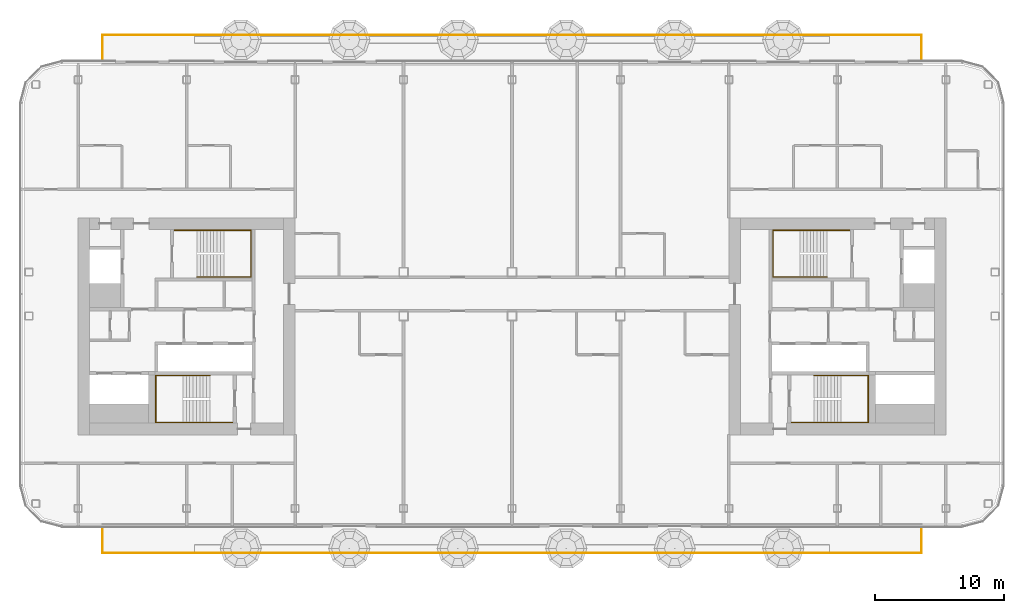
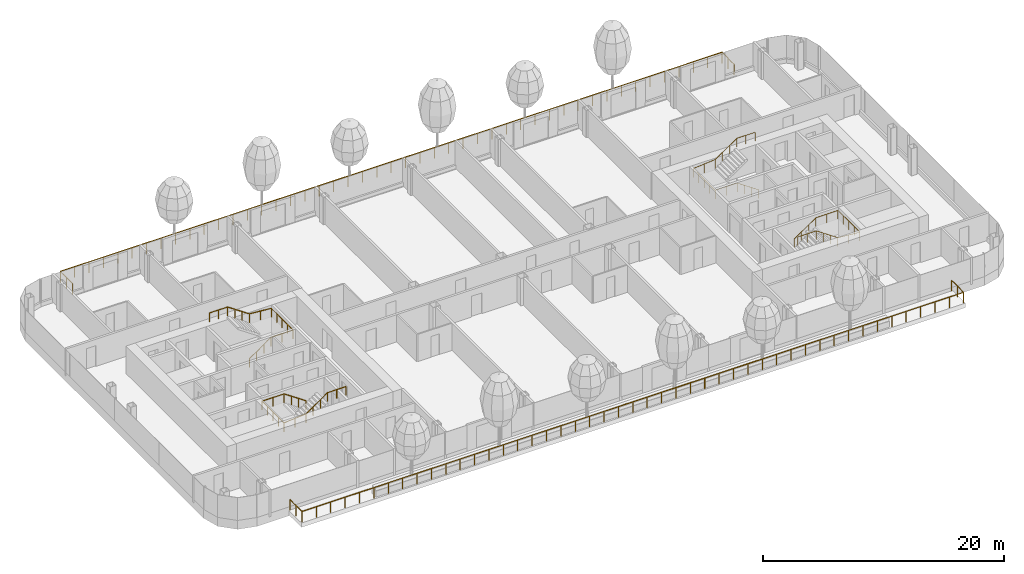
# One storey, part 24 of 28: 6 railings.
"""IFC4 building model written with IfcOpenShell, lengths in metres."""

from ifc_helpers import new_model, si_unit, direction, frame, origin, origin_2d, place, context, subcontext, project, spatial, circle, extrude, material, type_object, element, save


model = new_model("IFC4")

# Units and contexts
model_context = context("Model", 3, precision=1e-05, world=origin(), true_north=direction((0.0, 1.0)))
body_context = subcontext(model_context, "Body", "Model", "MODEL_VIEW")
ifc_project = project(units=[si_unit("LENGTHUNIT", "METRE"), si_unit("AREAUNIT", "SQUARE_METRE"), si_unit("VOLUMEUNIT", "CUBIC_METRE"), si_unit("PLANEANGLEUNIT", "RADIAN"), si_unit("MASSUNIT", "GRAM", prefix="KILO")], contexts=[model_context])

# Site, building, storey
site_placement = place(None, origin())
site = spatial("IfcSite", under=ifc_project, at=site_placement, CompositionType="ELEMENT")
building_placement = place(site_placement, origin())
building = spatial("IfcBuilding", under=site, at=building_placement, Name="Hakoniwa Tower and Hamabe Station Hall", CompositionType="ELEMENT")
storey_placement = place(building_placement, frame((0.0, 0.0, 218.60009765625)))
storey = spatial("IfcBuildingStorey", under=building, at=storey_placement, Name="L62", CompositionType="ELEMENT", Elevation=218.60009765625)

# Railings
ifc_material_1 = material(Name="Stainless steel and laminated glass", Category="steel")
railing_type_1 = type_object("IfcRailingType", Name="BALCONY BALUSTRADE 1100", PredefinedType="BALUSTRADE", material=ifc_material_1)
railing_1_placement = place(storey_placement, frame((-31.699951171875, 20.550048828125, 0.0)))
element("IfcRailing", 1, at=railing_1_placement, inside=storey, type_object=railing_type_1, Name="Balcony balustrade", PredefinedType="BALUSTRADE", context=body_context, shape_type="SweptSolid", body=[
    extrude(circle(Radius=0.02392578125, at=origin_2d()), frame((0.0, 0.0, 1.076171875), z_axis=(0.0, 1.0, 0.0), x_axis=(-1.0, 0.0, 0.0)), (0.0, 0.0, 1.0), 2.0),
    extrude(circle(Radius=0.02392578125, at=origin_2d()), frame((0.0, 2.0, 1.076171875), z_axis=(1.0, 0.0, 0.0), x_axis=(0.0, 1.0, 0.0)), (0.0, 0.0, 1.0), 63.39990234375),
    extrude(circle(Radius=0.02392578125, at=origin_2d()), frame((63.39990234375, 2.0, 1.076171875), z_axis=(0.0, -1.0, 0.0), x_axis=(1.0, 0.0, 0.0)), (0.0, 0.0, 1.0), 2.0),
    extrude(circle(Radius=0.02099609375, at=origin_2d()), origin(), (0.0, 0.0, 1.0), 1.052001953125),
    extrude(circle(Radius=0.02099609375, at=origin_2d()), frame((0.0, 1.0, 0.0)), (0.0, 0.0, 1.0), 1.052001953125),
    extrude(circle(Radius=0.02099609375, at=origin_2d()), frame((0.0, 2.0, 0.0)), (0.0, 0.0, 1.0), 1.052001953125),
    extrude(circle(Radius=0.02099609375, at=origin_2d()), frame((1.378173828125, 2.0, 0.0)), (0.0, 0.0, 1.0), 1.052001953125),
    extrude(circle(Radius=0.02099609375, at=origin_2d()), frame((2.756591796875, 2.0, 0.0)), (0.0, 0.0, 1.0), 1.052001953125),
    extrude(circle(Radius=0.02099609375, at=origin_2d()), frame((4.134765625, 2.0, 0.0)), (0.0, 0.0, 1.0), 1.052001953125),
    extrude(circle(Radius=0.02099609375, at=origin_2d()), frame((5.512939453125, 2.0, 0.0)), (0.0, 0.0, 1.0), 1.052001953125),
    extrude(circle(Radius=0.02099609375, at=origin_2d()), frame((6.891357421875, 2.0, 0.0)), (0.0, 0.0, 1.0), 1.052001953125),
    extrude(circle(Radius=0.02099609375, at=origin_2d()), frame((8.26953125, 2.0, 0.0)), (0.0, 0.0, 1.0), 1.052001953125),
    extrude(circle(Radius=0.02099609375, at=origin_2d()), frame((9.647705078125, 2.0, 0.0)), (0.0, 0.0, 1.0), 1.052001953125),
    extrude(circle(Radius=0.02099609375, at=origin_2d()), frame((11.026123046875, 2.0, 0.0)), (0.0, 0.0, 1.0), 1.052001953125),
    extrude(circle(Radius=0.02099609375, at=origin_2d()), frame((12.404296875, 2.0, 0.0)), (0.0, 0.0, 1.0), 1.052001953125),
    extrude(circle(Radius=0.02099609375, at=origin_2d()), frame((13.782470703125, 2.0, 0.0)), (0.0, 0.0, 1.0), 1.052001953125),
    extrude(circle(Radius=0.02099609375, at=origin_2d()), frame((15.160888671875, 2.0, 0.0)), (0.0, 0.0, 1.0), 1.052001953125),
    extrude(circle(Radius=0.02099609375, at=origin_2d()), frame((16.5390625, 2.0, 0.0)), (0.0, 0.0, 1.0), 1.052001953125),
    extrude(circle(Radius=0.02099609375, at=origin_2d()), frame((17.91748046875, 2.0, 0.0)), (0.0, 0.0, 1.0), 1.052001953125),
    extrude(circle(Radius=0.02099609375, at=origin_2d()), frame((19.295654296875, 2.0, 0.0)), (0.0, 0.0, 1.0), 1.052001953125),
    extrude(circle(Radius=0.02099609375, at=origin_2d()), frame((20.673828125, 2.0, 0.0)), (0.0, 0.0, 1.0), 1.052001953125),
    extrude(circle(Radius=0.02099609375, at=origin_2d()), frame((22.05224609375, 2.0, 0.0)), (0.0, 0.0, 1.0), 1.052001953125),
    extrude(circle(Radius=0.02099609375, at=origin_2d()), frame((23.430419921875, 2.0, 0.0)), (0.0, 0.0, 1.0), 1.052001953125),
    extrude(circle(Radius=0.02099609375, at=origin_2d()), frame((24.80859375, 2.0, 0.0)), (0.0, 0.0, 1.0), 1.052001953125),
    extrude(circle(Radius=0.02099609375, at=origin_2d()), frame((26.18701171875, 2.0, 0.0)), (0.0, 0.0, 1.0), 1.052001953125),
    extrude(circle(Radius=0.02099609375, at=origin_2d()), frame((27.565185546875, 2.0, 0.0)), (0.0, 0.0, 1.0), 1.052001953125),
    extrude(circle(Radius=0.02099609375, at=origin_2d()), frame((28.943359375, 2.0, 0.0)), (0.0, 0.0, 1.0), 1.052001953125),
    extrude(circle(Radius=0.02099609375, at=origin_2d()), frame((30.32177734375, 2.0, 0.0)), (0.0, 0.0, 1.0), 1.052001953125),
    extrude(circle(Radius=0.02099609375, at=origin_2d()), frame((31.699951171875, 2.0, 0.0)), (0.0, 0.0, 1.0), 1.052001953125),
    extrude(circle(Radius=0.02099609375, at=origin_2d()), frame((33.078125, 2.0, 0.0)), (0.0, 0.0, 1.0), 1.052001953125),
    extrude(circle(Radius=0.02099609375, at=origin_2d()), frame((34.45654296875, 2.0, 0.0)), (0.0, 0.0, 1.0), 1.052001953125),
    extrude(circle(Radius=0.02099609375, at=origin_2d()), frame((35.834716796875, 2.0, 0.0)), (0.0, 0.0, 1.0), 1.052001953125),
    extrude(circle(Radius=0.02099609375, at=origin_2d()), frame((37.212890625, 2.0, 0.0)), (0.0, 0.0, 1.0), 1.052001953125),
    extrude(circle(Radius=0.02099609375, at=origin_2d()), frame((38.59130859375, 2.0, 0.0)), (0.0, 0.0, 1.0), 1.052001953125),
    extrude(circle(Radius=0.02099609375, at=origin_2d()), frame((39.969482421875, 2.0, 0.0)), (0.0, 0.0, 1.0), 1.052001953125),
    extrude(circle(Radius=0.02099609375, at=origin_2d()), frame((41.34765625, 2.0, 0.0)), (0.0, 0.0, 1.0), 1.052001953125),
    extrude(circle(Radius=0.02099609375, at=origin_2d()), frame((42.72607421875, 2.0, 0.0)), (0.0, 0.0, 1.0), 1.052001953125),
    extrude(circle(Radius=0.02099609375, at=origin_2d()), frame((44.104248046875, 2.0, 0.0)), (0.0, 0.0, 1.0), 1.052001953125),
    extrude(circle(Radius=0.02099609375, at=origin_2d()), frame((45.482421875, 2.0, 0.0)), (0.0, 0.0, 1.0), 1.052001953125),
    extrude(circle(Radius=0.02099609375, at=origin_2d()), frame((46.86083984375, 2.0, 0.0)), (0.0, 0.0, 1.0), 1.052001953125),
    extrude(circle(Radius=0.02099609375, at=origin_2d()), frame((48.239013671875, 2.0, 0.0)), (0.0, 0.0, 1.0), 1.052001953125),
    extrude(circle(Radius=0.02099609375, at=origin_2d()), frame((49.617431640625, 2.0, 0.0)), (0.0, 0.0, 1.0), 1.052001953125),
    extrude(circle(Radius=0.02099609375, at=origin_2d()), frame((50.99560546875, 2.0, 0.0)), (0.0, 0.0, 1.0), 1.052001953125),
    extrude(circle(Radius=0.02099609375, at=origin_2d()), frame((52.373779296875, 2.0, 0.0)), (0.0, 0.0, 1.0), 1.052001953125),
    extrude(circle(Radius=0.02099609375, at=origin_2d()), frame((53.752197265625, 2.0, 0.0)), (0.0, 0.0, 1.0), 1.052001953125),
    extrude(circle(Radius=0.02099609375, at=origin_2d()), frame((55.13037109375, 2.0, 0.0)), (0.0, 0.0, 1.0), 1.052001953125),
    extrude(circle(Radius=0.02099609375, at=origin_2d()), frame((56.508544921875, 2.0, 0.0)), (0.0, 0.0, 1.0), 1.052001953125),
    extrude(circle(Radius=0.02099609375, at=origin_2d()), frame((57.886962890625, 2.0, 0.0)), (0.0, 0.0, 1.0), 1.052001953125),
    extrude(circle(Radius=0.02099609375, at=origin_2d()), frame((59.26513671875, 2.0, 0.0)), (0.0, 0.0, 1.0), 1.052001953125),
    extrude(circle(Radius=0.02099609375, at=origin_2d()), frame((60.643310546875, 2.0, 0.0)), (0.0, 0.0, 1.0), 1.052001953125),
    extrude(circle(Radius=0.02099609375, at=origin_2d()), frame((62.021728515625, 2.0, 0.0)), (0.0, 0.0, 1.0), 1.052001953125),
    extrude(circle(Radius=0.02099609375, at=origin_2d()), frame((63.39990234375, 2.0, 0.0)), (0.0, 0.0, 1.0), 1.052001953125),
    extrude(circle(Radius=0.02099609375, at=origin_2d()), frame((63.39990234375, 1.0, 0.0)), (0.0, 0.0, 1.0), 1.052001953125),
    extrude(circle(Radius=0.02099609375, at=origin_2d()), frame((63.39990234375, 0.0, 0.0)), (0.0, 0.0, 1.0), 1.052001953125),
])
railing_2_placement = place(storey_placement, frame((-31.699951171875, -15.550048828125, 0.0)))
element("IfcRailing", 2, at=railing_2_placement, inside=storey, type_object=railing_type_1, Name="Balcony balustrade", PredefinedType="BALUSTRADE", context=body_context, shape_type="SweptSolid", body=[
    extrude(circle(Radius=0.02392578125, at=origin_2d()), frame((0.0, 0.0, 1.076171875), z_axis=(0.0, -1.0, 0.0), x_axis=(1.0, 0.0, 0.0)), (0.0, 0.0, 1.0), 2.0),
    extrude(circle(Radius=0.02392578125, at=origin_2d()), frame((0.0, -2.0, 1.076171875), z_axis=(1.0, 0.0, 0.0), x_axis=(0.0, 1.0, 0.0)), (0.0, 0.0, 1.0), 63.39990234375),
    extrude(circle(Radius=0.02392578125, at=origin_2d()), frame((63.39990234375, -2.0, 1.076171875), z_axis=(0.0, 1.0, 0.0), x_axis=(-1.0, 0.0, 0.0)), (0.0, 0.0, 1.0), 2.0),
    extrude(circle(Radius=0.02099609375, at=origin_2d()), origin(), (0.0, 0.0, 1.0), 1.052001953125),
    extrude(circle(Radius=0.02099609375, at=origin_2d()), frame((0.0, -1.0, 0.0)), (0.0, 0.0, 1.0), 1.052001953125),
    extrude(circle(Radius=0.02099609375, at=origin_2d()), frame((0.0, -2.0, 0.0)), (0.0, 0.0, 1.0), 1.052001953125),
    extrude(circle(Radius=0.02099609375, at=origin_2d()), frame((1.378173828125, -2.0, 0.0)), (0.0, 0.0, 1.0), 1.052001953125),
    extrude(circle(Radius=0.02099609375, at=origin_2d()), frame((2.756591796875, -2.0, 0.0)), (0.0, 0.0, 1.0), 1.052001953125),
    extrude(circle(Radius=0.02099609375, at=origin_2d()), frame((4.134765625, -2.0, 0.0)), (0.0, 0.0, 1.0), 1.052001953125),
    extrude(circle(Radius=0.02099609375, at=origin_2d()), frame((5.512939453125, -2.0, 0.0)), (0.0, 0.0, 1.0), 1.052001953125),
    extrude(circle(Radius=0.02099609375, at=origin_2d()), frame((6.891357421875, -2.0, 0.0)), (0.0, 0.0, 1.0), 1.052001953125),
    extrude(circle(Radius=0.02099609375, at=origin_2d()), frame((8.26953125, -2.0, 0.0)), (0.0, 0.0, 1.0), 1.052001953125),
    extrude(circle(Radius=0.02099609375, at=origin_2d()), frame((9.647705078125, -2.0, 0.0)), (0.0, 0.0, 1.0), 1.052001953125),
    extrude(circle(Radius=0.02099609375, at=origin_2d()), frame((11.026123046875, -2.0, 0.0)), (0.0, 0.0, 1.0), 1.052001953125),
    extrude(circle(Radius=0.02099609375, at=origin_2d()), frame((12.404296875, -2.0, 0.0)), (0.0, 0.0, 1.0), 1.052001953125),
    extrude(circle(Radius=0.02099609375, at=origin_2d()), frame((13.782470703125, -2.0, 0.0)), (0.0, 0.0, 1.0), 1.052001953125),
    extrude(circle(Radius=0.02099609375, at=origin_2d()), frame((15.160888671875, -2.0, 0.0)), (0.0, 0.0, 1.0), 1.052001953125),
    extrude(circle(Radius=0.02099609375, at=origin_2d()), frame((16.5390625, -2.0, 0.0)), (0.0, 0.0, 1.0), 1.052001953125),
    extrude(circle(Radius=0.02099609375, at=origin_2d()), frame((17.91748046875, -2.0, 0.0)), (0.0, 0.0, 1.0), 1.052001953125),
    extrude(circle(Radius=0.02099609375, at=origin_2d()), frame((19.295654296875, -2.0, 0.0)), (0.0, 0.0, 1.0), 1.052001953125),
    extrude(circle(Radius=0.02099609375, at=origin_2d()), frame((20.673828125, -2.0, 0.0)), (0.0, 0.0, 1.0), 1.052001953125),
    extrude(circle(Radius=0.02099609375, at=origin_2d()), frame((22.05224609375, -2.0, 0.0)), (0.0, 0.0, 1.0), 1.052001953125),
    extrude(circle(Radius=0.02099609375, at=origin_2d()), frame((23.430419921875, -2.0, 0.0)), (0.0, 0.0, 1.0), 1.052001953125),
    extrude(circle(Radius=0.02099609375, at=origin_2d()), frame((24.80859375, -2.0, 0.0)), (0.0, 0.0, 1.0), 1.052001953125),
    extrude(circle(Radius=0.02099609375, at=origin_2d()), frame((26.18701171875, -2.0, 0.0)), (0.0, 0.0, 1.0), 1.052001953125),
    extrude(circle(Radius=0.02099609375, at=origin_2d()), frame((27.565185546875, -2.0, 0.0)), (0.0, 0.0, 1.0), 1.052001953125),
    extrude(circle(Radius=0.02099609375, at=origin_2d()), frame((28.943359375, -2.0, 0.0)), (0.0, 0.0, 1.0), 1.052001953125),
    extrude(circle(Radius=0.02099609375, at=origin_2d()), frame((30.32177734375, -2.0, 0.0)), (0.0, 0.0, 1.0), 1.052001953125),
    extrude(circle(Radius=0.02099609375, at=origin_2d()), frame((31.699951171875, -2.0, 0.0)), (0.0, 0.0, 1.0), 1.052001953125),
    extrude(circle(Radius=0.02099609375, at=origin_2d()), frame((33.078125, -2.0, 0.0)), (0.0, 0.0, 1.0), 1.052001953125),
    extrude(circle(Radius=0.02099609375, at=origin_2d()), frame((34.45654296875, -2.0, 0.0)), (0.0, 0.0, 1.0), 1.052001953125),
    extrude(circle(Radius=0.02099609375, at=origin_2d()), frame((35.834716796875, -2.0, 0.0)), (0.0, 0.0, 1.0), 1.052001953125),
    extrude(circle(Radius=0.02099609375, at=origin_2d()), frame((37.212890625, -2.0, 0.0)), (0.0, 0.0, 1.0), 1.052001953125),
    extrude(circle(Radius=0.02099609375, at=origin_2d()), frame((38.59130859375, -2.0, 0.0)), (0.0, 0.0, 1.0), 1.052001953125),
    extrude(circle(Radius=0.02099609375, at=origin_2d()), frame((39.969482421875, -2.0, 0.0)), (0.0, 0.0, 1.0), 1.052001953125),
    extrude(circle(Radius=0.02099609375, at=origin_2d()), frame((41.34765625, -2.0, 0.0)), (0.0, 0.0, 1.0), 1.052001953125),
    extrude(circle(Radius=0.02099609375, at=origin_2d()), frame((42.72607421875, -2.0, 0.0)), (0.0, 0.0, 1.0), 1.052001953125),
    extrude(circle(Radius=0.02099609375, at=origin_2d()), frame((44.104248046875, -2.0, 0.0)), (0.0, 0.0, 1.0), 1.052001953125),
    extrude(circle(Radius=0.02099609375, at=origin_2d()), frame((45.482421875, -2.0, 0.0)), (0.0, 0.0, 1.0), 1.052001953125),
    extrude(circle(Radius=0.02099609375, at=origin_2d()), frame((46.86083984375, -2.0, 0.0)), (0.0, 0.0, 1.0), 1.052001953125),
    extrude(circle(Radius=0.02099609375, at=origin_2d()), frame((48.239013671875, -2.0, 0.0)), (0.0, 0.0, 1.0), 1.052001953125),
    extrude(circle(Radius=0.02099609375, at=origin_2d()), frame((49.617431640625, -2.0, 0.0)), (0.0, 0.0, 1.0), 1.052001953125),
    extrude(circle(Radius=0.02099609375, at=origin_2d()), frame((50.99560546875, -2.0, 0.0)), (0.0, 0.0, 1.0), 1.052001953125),
    extrude(circle(Radius=0.02099609375, at=origin_2d()), frame((52.373779296875, -2.0, 0.0)), (0.0, 0.0, 1.0), 1.052001953125),
    extrude(circle(Radius=0.02099609375, at=origin_2d()), frame((53.752197265625, -2.0, 0.0)), (0.0, 0.0, 1.0), 1.052001953125),
    extrude(circle(Radius=0.02099609375, at=origin_2d()), frame((55.13037109375, -2.0, 0.0)), (0.0, 0.0, 1.0), 1.052001953125),
    extrude(circle(Radius=0.02099609375, at=origin_2d()), frame((56.508544921875, -2.0, 0.0)), (0.0, 0.0, 1.0), 1.052001953125),
    extrude(circle(Radius=0.02099609375, at=origin_2d()), frame((57.886962890625, -2.0, 0.0)), (0.0, 0.0, 1.0), 1.052001953125),
    extrude(circle(Radius=0.02099609375, at=origin_2d()), frame((59.26513671875, -2.0, 0.0)), (0.0, 0.0, 1.0), 1.052001953125),
    extrude(circle(Radius=0.02099609375, at=origin_2d()), frame((60.643310546875, -2.0, 0.0)), (0.0, 0.0, 1.0), 1.052001953125),
    extrude(circle(Radius=0.02099609375, at=origin_2d()), frame((62.021728515625, -2.0, 0.0)), (0.0, 0.0, 1.0), 1.052001953125),
    extrude(circle(Radius=0.02099609375, at=origin_2d()), frame((63.39990234375, -2.0, 0.0)), (0.0, 0.0, 1.0), 1.052001953125),
    extrude(circle(Radius=0.02099609375, at=origin_2d()), frame((63.39990234375, -1.0, 0.0)), (0.0, 0.0, 1.0), 1.052001953125),
    extrude(circle(Radius=0.02099609375, at=origin_2d()), frame((63.39990234375, 0.0, 0.0)), (0.0, 0.0, 1.0), 1.052001953125),
])
ifc_material_2 = material(Name="Stainless steel SUS304", Category="steel")
railing_type_2 = type_object("IfcRailingType", Name="STAIR HANDRAIL 900", PredefinedType="HANDRAIL", material=ifc_material_2)
railing_3_placement = place(storey_placement, frame((-24.39990234375, 3.81005859375, 0.177734375)))
element("IfcRailing", 3, at=railing_3_placement, inside=storey, type_object=railing_type_2, Name="Handrail ST-1 L62 1", PredefinedType="HANDRAIL", context=body_context, shape_type="SweptSolid", body=[
    extrude(circle(Radius=0.02392578125, at=origin_2d()), frame((0.0, 0.0, 0.8759765625), z_axis=(0.825478349766, 0.0, 0.564433781827), x_axis=(0.0, 1.0, 0.0)), (0.0, 0.0, 1.0), 2.51953125),
    extrude(circle(Radius=0.02392578125, at=origin_2d()), frame((2.079833984375, 0.0, 2.2978515625), z_axis=(1.0, 0.0, 0.0), x_axis=(0.0, 1.0, 0.0)), (0.0, 0.0, 1.0), 2.110107421875),
    extrude(circle(Radius=0.02392578125, at=origin_2d()), frame((4.18994140625, 0.0, 2.2978515625), z_axis=(0.0, 1.0, 0.0), x_axis=(-1.0, 0.0, 0.0)), (0.0, 0.0, 1.0), 3.6298828125),
    extrude(circle(Radius=0.02392578125, at=origin_2d()), frame((4.18994140625, 3.6298828125, 2.2978515625), z_axis=(-0.996471417081, 0.0, 0.083932800143), x_axis=(0.0, -1.0, 0.0)), (0.0, 0.0, 1.0), 2.11767578125),
    extrude(circle(Radius=0.02392578125, at=origin_2d()), frame((2.079833984375, 3.6298828125, 2.4755859375), z_axis=(-0.825433201882, 0.0, 0.564499804456), x_axis=(0.0, -1.0, 0.0)), (0.0, 0.0, 1.0), 2.519775390625),
    extrude(circle(Radius=0.02392578125, at=origin_2d()), frame((0.0, 3.6298828125, 3.89794921875), z_axis=(-1.0, 0.0, 0.0), x_axis=(0.0, -1.0, 0.0)), (0.0, 0.0, 1.0), 1.739990234375),
    extrude(circle(Radius=0.02099609375, at=origin_2d()), origin(), (0.0, 0.0, 1.0), 0.851806640625),
    extrude(circle(Radius=0.02099609375, at=origin_2d()), frame((0.693359375, 0.0, 0.47412109375)), (0.0, 0.0, 1.0), 0.851806640625),
    extrude(circle(Radius=0.02099609375, at=origin_2d()), frame((1.386474609375, 0.0, 0.947998046875)), (0.0, 0.0, 1.0), 0.851806640625),
    extrude(circle(Radius=0.02099609375, at=origin_2d()), frame((2.079833984375, 0.0, 1.422119140625)), (0.0, 0.0, 1.0), 0.851806640625),
    extrude(circle(Radius=0.02099609375, at=origin_2d()), frame((3.134765625, 0.0, 1.422119140625)), (0.0, 0.0, 1.0), 0.851806640625),
    extrude(circle(Radius=0.02099609375, at=origin_2d()), frame((4.18994140625, 0.0, 1.422119140625)), (0.0, 0.0, 1.0), 0.851806640625),
    extrude(circle(Radius=0.02099609375, at=origin_2d()), frame((4.18994140625, 0.907470703125, 1.422119140625)), (0.0, 0.0, 1.0), 0.851806640625),
    extrude(circle(Radius=0.02099609375, at=origin_2d()), frame((4.18994140625, 1.81494140625, 1.422119140625)), (0.0, 0.0, 1.0), 0.851806640625),
    extrude(circle(Radius=0.02099609375, at=origin_2d()), frame((4.18994140625, 2.722412109375, 1.422119140625)), (0.0, 0.0, 1.0), 0.851806640625),
    extrude(circle(Radius=0.02099609375, at=origin_2d()), frame((4.18994140625, 3.6298828125, 1.422119140625)), (0.0, 0.0, 1.0), 0.851806640625),
    extrude(circle(Radius=0.02099609375, at=origin_2d()), frame((3.134765625, 3.6298828125, 1.510986328125)), (0.0, 0.0, 1.0), 0.851806640625),
    extrude(circle(Radius=0.02099609375, at=origin_2d()), frame((2.079833984375, 3.6298828125, 1.599853515625)), (0.0, 0.0, 1.0), 0.851806640625),
    extrude(circle(Radius=0.02099609375, at=origin_2d()), frame((1.386474609375, 3.6298828125, 2.073974609375)), (0.0, 0.0, 1.0), 0.851806640625),
    extrude(circle(Radius=0.02099609375, at=origin_2d()), frame((0.693359375, 3.6298828125, 2.548095703125)), (0.0, 0.0, 1.0), 0.851806640625),
    extrude(circle(Radius=0.02099609375, at=origin_2d()), frame((0.0, 3.6298828125, 3.022216796875)), (0.0, 0.0, 1.0), 0.851806640625),
    extrude(circle(Radius=0.02099609375, at=origin_2d()), frame((-0.8701171875, 3.6298828125, 3.022216796875)), (0.0, 0.0, 1.0), 0.851806640625),
    extrude(circle(Radius=0.02099609375, at=origin_2d()), frame((-1.739990234375, 3.6298828125, 3.022216796875)), (0.0, 0.0, 1.0), 0.851806640625),
])
railing_4_placement = place(storey_placement, frame((-23.39990234375, -3.81005859375, 0.177734375)))
element("IfcRailing", 4, at=railing_4_placement, inside=storey, type_object=railing_type_2, Name="Handrail ST-2 L62 1", PredefinedType="HANDRAIL", context=body_context, shape_type="SweptSolid", body=[
    extrude(circle(Radius=0.02392578125, at=origin_2d()), frame((0.0, 0.0, 0.8759765625), z_axis=(-0.82550921652, 0.0, 0.564388636881), x_axis=(0.0, -1.0, 0.0)), (0.0, 0.0, 1.0), 2.519775390625),
    extrude(circle(Radius=0.02392578125, at=origin_2d()), frame((-2.080078125, 0.0, 2.2978515625), z_axis=(-1.0, 0.0, 0.0), x_axis=(0.0, -1.0, 0.0)), (0.0, 0.0, 1.0), 2.110107421875),
    extrude(circle(Radius=0.02392578125, at=origin_2d()), frame((-4.190185546875, 0.0, 2.2978515625), z_axis=(0.0, -1.0, 0.0), x_axis=(1.0, 0.0, 0.0)), (0.0, 0.0, 1.0), 3.6298828125),
    extrude(circle(Radius=0.02392578125, at=origin_2d()), frame((-4.190185546875, -3.6298828125, 2.2978515625), z_axis=(0.996471417081, 0.0, 0.083932800143), x_axis=(0.0, 1.0, 0.0)), (0.0, 0.0, 1.0), 2.11767578125),
    extrude(circle(Radius=0.02392578125, at=origin_2d()), frame((-2.080078125, -3.6298828125, 2.4755859375), z_axis=(0.825464074169, 0.0, 0.564454659168), x_axis=(0.0, 1.0, 0.0)), (0.0, 0.0, 1.0), 2.519775390625),
    extrude(circle(Radius=0.02392578125, at=origin_2d()), frame((0.0, -3.6298828125, 3.89794921875), z_axis=(1.0, 0.0, 0.0), x_axis=(0.0, 1.0, 0.0)), (0.0, 0.0, 1.0), 1.739990234375),
    extrude(circle(Radius=0.02099609375, at=origin_2d()), origin(), (0.0, 0.0, 1.0), 0.851806640625),
    extrude(circle(Radius=0.02099609375, at=origin_2d()), frame((-0.693359375, 0.0, 0.47412109375)), (0.0, 0.0, 1.0), 0.851806640625),
    extrude(circle(Radius=0.02099609375, at=origin_2d()), frame((-1.38671875, 0.0, 0.947998046875)), (0.0, 0.0, 1.0), 0.851806640625),
    extrude(circle(Radius=0.02099609375, at=origin_2d()), frame((-2.080078125, 0.0, 1.422119140625)), (0.0, 0.0, 1.0), 0.851806640625),
    extrude(circle(Radius=0.02099609375, at=origin_2d()), frame((-3.13525390625, 0.0, 1.422119140625)), (0.0, 0.0, 1.0), 0.851806640625),
    extrude(circle(Radius=0.02099609375, at=origin_2d()), frame((-4.190185546875, 0.0, 1.422119140625)), (0.0, 0.0, 1.0), 0.851806640625),
    extrude(circle(Radius=0.02099609375, at=origin_2d()), frame((-4.190185546875, -0.907470703125, 1.422119140625)), (0.0, 0.0, 1.0), 0.851806640625),
    extrude(circle(Radius=0.02099609375, at=origin_2d()), frame((-4.190185546875, -1.81494140625, 1.422119140625)), (0.0, 0.0, 1.0), 0.851806640625),
    extrude(circle(Radius=0.02099609375, at=origin_2d()), frame((-4.190185546875, -2.722412109375, 1.422119140625)), (0.0, 0.0, 1.0), 0.851806640625),
    extrude(circle(Radius=0.02099609375, at=origin_2d()), frame((-4.190185546875, -3.6298828125, 1.422119140625)), (0.0, 0.0, 1.0), 0.851806640625),
    extrude(circle(Radius=0.02099609375, at=origin_2d()), frame((-3.13525390625, -3.6298828125, 1.510986328125)), (0.0, 0.0, 1.0), 0.851806640625),
    extrude(circle(Radius=0.02099609375, at=origin_2d()), frame((-2.080078125, -3.6298828125, 1.599853515625)), (0.0, 0.0, 1.0), 0.851806640625),
    extrude(circle(Radius=0.02099609375, at=origin_2d()), frame((-1.38671875, -3.6298828125, 2.073974609375)), (0.0, 0.0, 1.0), 0.851806640625),
    extrude(circle(Radius=0.02099609375, at=origin_2d()), frame((-0.693359375, -3.6298828125, 2.548095703125)), (0.0, 0.0, 1.0), 0.851806640625),
    extrude(circle(Radius=0.02099609375, at=origin_2d()), frame((0.0, -3.6298828125, 3.022216796875)), (0.0, 0.0, 1.0), 0.851806640625),
    extrude(circle(Radius=0.02099609375, at=origin_2d()), frame((0.8701171875, -3.6298828125, 3.022216796875)), (0.0, 0.0, 1.0), 0.851806640625),
    extrude(circle(Radius=0.02099609375, at=origin_2d()), frame((1.739990234375, -3.6298828125, 3.022216796875)), (0.0, 0.0, 1.0), 0.851806640625),
])
railing_5_placement = place(storey_placement, frame((24.39990234375, 3.81005859375, 0.177734375)))
element("IfcRailing", 5, at=railing_5_placement, inside=storey, type_object=railing_type_2, Name="Handrail ST-3 L62 1", PredefinedType="HANDRAIL", context=body_context, shape_type="SweptSolid", body=[
    extrude(circle(Radius=0.02392578125, at=origin_2d()), frame((0.0, 0.0, 0.8759765625), z_axis=(-0.825478349766, 0.0, 0.564433781827), x_axis=(0.0, -1.0, 0.0)), (0.0, 0.0, 1.0), 2.51953125),
    extrude(circle(Radius=0.02392578125, at=origin_2d()), frame((-2.079833984375, 0.0, 2.2978515625), z_axis=(-1.0, 0.0, 0.0), x_axis=(0.0, -1.0, 0.0)), (0.0, 0.0, 1.0), 2.110107421875),
    extrude(circle(Radius=0.02392578125, at=origin_2d()), frame((-4.18994140625, 0.0, 2.2978515625), z_axis=(0.0, 1.0, 0.0), x_axis=(-1.0, 0.0, 0.0)), (0.0, 0.0, 1.0), 3.6298828125),
    extrude(circle(Radius=0.02392578125, at=origin_2d()), frame((-4.18994140625, 3.6298828125, 2.2978515625), z_axis=(0.996471417081, 0.0, 0.083932800143), x_axis=(0.0, 1.0, 0.0)), (0.0, 0.0, 1.0), 2.11767578125),
    extrude(circle(Radius=0.02392578125, at=origin_2d()), frame((-2.079833984375, 3.6298828125, 2.4755859375), z_axis=(0.825433201882, 0.0, 0.564499804456), x_axis=(0.0, 1.0, 0.0)), (0.0, 0.0, 1.0), 2.519775390625),
    extrude(circle(Radius=0.02392578125, at=origin_2d()), frame((0.0, 3.6298828125, 3.89794921875), z_axis=(1.0, 0.0, 0.0), x_axis=(0.0, 1.0, 0.0)), (0.0, 0.0, 1.0), 1.739990234375),
    extrude(circle(Radius=0.02099609375, at=origin_2d()), origin(), (0.0, 0.0, 1.0), 0.851806640625),
    extrude(circle(Radius=0.02099609375, at=origin_2d()), frame((-0.693359375, 0.0, 0.47412109375)), (0.0, 0.0, 1.0), 0.851806640625),
    extrude(circle(Radius=0.02099609375, at=origin_2d()), frame((-1.386474609375, 0.0, 0.947998046875)), (0.0, 0.0, 1.0), 0.851806640625),
    extrude(circle(Radius=0.02099609375, at=origin_2d()), frame((-2.079833984375, 0.0, 1.422119140625)), (0.0, 0.0, 1.0), 0.851806640625),
    extrude(circle(Radius=0.02099609375, at=origin_2d()), frame((-3.134765625, 0.0, 1.422119140625)), (0.0, 0.0, 1.0), 0.851806640625),
    extrude(circle(Radius=0.02099609375, at=origin_2d()), frame((-4.18994140625, 0.0, 1.422119140625)), (0.0, 0.0, 1.0), 0.851806640625),
    extrude(circle(Radius=0.02099609375, at=origin_2d()), frame((-4.18994140625, 0.907470703125, 1.422119140625)), (0.0, 0.0, 1.0), 0.851806640625),
    extrude(circle(Radius=0.02099609375, at=origin_2d()), frame((-4.18994140625, 1.81494140625, 1.422119140625)), (0.0, 0.0, 1.0), 0.851806640625),
    extrude(circle(Radius=0.02099609375, at=origin_2d()), frame((-4.18994140625, 2.722412109375, 1.422119140625)), (0.0, 0.0, 1.0), 0.851806640625),
    extrude(circle(Radius=0.02099609375, at=origin_2d()), frame((-4.18994140625, 3.6298828125, 1.422119140625)), (0.0, 0.0, 1.0), 0.851806640625),
    extrude(circle(Radius=0.02099609375, at=origin_2d()), frame((-3.134765625, 3.6298828125, 1.510986328125)), (0.0, 0.0, 1.0), 0.851806640625),
    extrude(circle(Radius=0.02099609375, at=origin_2d()), frame((-2.079833984375, 3.6298828125, 1.599853515625)), (0.0, 0.0, 1.0), 0.851806640625),
    extrude(circle(Radius=0.02099609375, at=origin_2d()), frame((-1.386474609375, 3.6298828125, 2.073974609375)), (0.0, 0.0, 1.0), 0.851806640625),
    extrude(circle(Radius=0.02099609375, at=origin_2d()), frame((-0.693359375, 3.6298828125, 2.548095703125)), (0.0, 0.0, 1.0), 0.851806640625),
    extrude(circle(Radius=0.02099609375, at=origin_2d()), frame((0.0, 3.6298828125, 3.022216796875)), (0.0, 0.0, 1.0), 0.851806640625),
    extrude(circle(Radius=0.02099609375, at=origin_2d()), frame((0.8701171875, 3.6298828125, 3.022216796875)), (0.0, 0.0, 1.0), 0.851806640625),
    extrude(circle(Radius=0.02099609375, at=origin_2d()), frame((1.739990234375, 3.6298828125, 3.022216796875)), (0.0, 0.0, 1.0), 0.851806640625),
])
railing_6_placement = place(storey_placement, frame((23.39990234375, -3.81005859375, 0.177734375)))
element("IfcRailing", 6, at=railing_6_placement, inside=storey, type_object=railing_type_2, Name="Handrail ST-4 L62 1", PredefinedType="HANDRAIL", context=body_context, shape_type="SweptSolid", body=[
    extrude(circle(Radius=0.02392578125, at=origin_2d()), frame((0.0, 0.0, 0.8759765625), z_axis=(0.82550921652, 0.0, 0.564388636881), x_axis=(0.0, 1.0, 0.0)), (0.0, 0.0, 1.0), 2.519775390625),
    extrude(circle(Radius=0.02392578125, at=origin_2d()), frame((2.080078125, 0.0, 2.2978515625), z_axis=(1.0, 0.0, 0.0), x_axis=(0.0, 1.0, 0.0)), (0.0, 0.0, 1.0), 2.110107421875),
    extrude(circle(Radius=0.02392578125, at=origin_2d()), frame((4.190185546875, 0.0, 2.2978515625), z_axis=(0.0, -1.0, 0.0), x_axis=(1.0, 0.0, 0.0)), (0.0, 0.0, 1.0), 3.6298828125),
    extrude(circle(Radius=0.02392578125, at=origin_2d()), frame((4.190185546875, -3.6298828125, 2.2978515625), z_axis=(-0.996471417081, 0.0, 0.083932800143), x_axis=(0.0, -1.0, 0.0)), (0.0, 0.0, 1.0), 2.11767578125),
    extrude(circle(Radius=0.02392578125, at=origin_2d()), frame((2.080078125, -3.6298828125, 2.4755859375), z_axis=(-0.825464074169, 0.0, 0.564454659168), x_axis=(0.0, -1.0, 0.0)), (0.0, 0.0, 1.0), 2.519775390625),
    extrude(circle(Radius=0.02392578125, at=origin_2d()), frame((0.0, -3.6298828125, 3.89794921875), z_axis=(-1.0, 0.0, 0.0), x_axis=(0.0, -1.0, 0.0)), (0.0, 0.0, 1.0), 1.739990234375),
    extrude(circle(Radius=0.02099609375, at=origin_2d()), origin(), (0.0, 0.0, 1.0), 0.851806640625),
    extrude(circle(Radius=0.02099609375, at=origin_2d()), frame((0.693359375, 0.0, 0.47412109375)), (0.0, 0.0, 1.0), 0.851806640625),
    extrude(circle(Radius=0.02099609375, at=origin_2d()), frame((1.38671875, 0.0, 0.947998046875)), (0.0, 0.0, 1.0), 0.851806640625),
    extrude(circle(Radius=0.02099609375, at=origin_2d()), frame((2.080078125, 0.0, 1.422119140625)), (0.0, 0.0, 1.0), 0.851806640625),
    extrude(circle(Radius=0.02099609375, at=origin_2d()), frame((3.13525390625, 0.0, 1.422119140625)), (0.0, 0.0, 1.0), 0.851806640625),
    extrude(circle(Radius=0.02099609375, at=origin_2d()), frame((4.190185546875, 0.0, 1.422119140625)), (0.0, 0.0, 1.0), 0.851806640625),
    extrude(circle(Radius=0.02099609375, at=origin_2d()), frame((4.190185546875, -0.907470703125, 1.422119140625)), (0.0, 0.0, 1.0), 0.851806640625),
    extrude(circle(Radius=0.02099609375, at=origin_2d()), frame((4.190185546875, -1.81494140625, 1.422119140625)), (0.0, 0.0, 1.0), 0.851806640625),
    extrude(circle(Radius=0.02099609375, at=origin_2d()), frame((4.190185546875, -2.722412109375, 1.422119140625)), (0.0, 0.0, 1.0), 0.851806640625),
    extrude(circle(Radius=0.02099609375, at=origin_2d()), frame((4.190185546875, -3.6298828125, 1.422119140625)), (0.0, 0.0, 1.0), 0.851806640625),
    extrude(circle(Radius=0.02099609375, at=origin_2d()), frame((3.13525390625, -3.6298828125, 1.510986328125)), (0.0, 0.0, 1.0), 0.851806640625),
    extrude(circle(Radius=0.02099609375, at=origin_2d()), frame((2.080078125, -3.6298828125, 1.599853515625)), (0.0, 0.0, 1.0), 0.851806640625),
    extrude(circle(Radius=0.02099609375, at=origin_2d()), frame((1.38671875, -3.6298828125, 2.073974609375)), (0.0, 0.0, 1.0), 0.851806640625),
    extrude(circle(Radius=0.02099609375, at=origin_2d()), frame((0.693359375, -3.6298828125, 2.548095703125)), (0.0, 0.0, 1.0), 0.851806640625),
    extrude(circle(Radius=0.02099609375, at=origin_2d()), frame((0.0, -3.6298828125, 3.022216796875)), (0.0, 0.0, 1.0), 0.851806640625),
    extrude(circle(Radius=0.02099609375, at=origin_2d()), frame((-0.8701171875, -3.6298828125, 3.022216796875)), (0.0, 0.0, 1.0), 0.851806640625),
    extrude(circle(Radius=0.02099609375, at=origin_2d()), frame((-1.739990234375, -3.6298828125, 3.022216796875)), (0.0, 0.0, 1.0), 0.851806640625),
])

save(model, "model.ifc")
